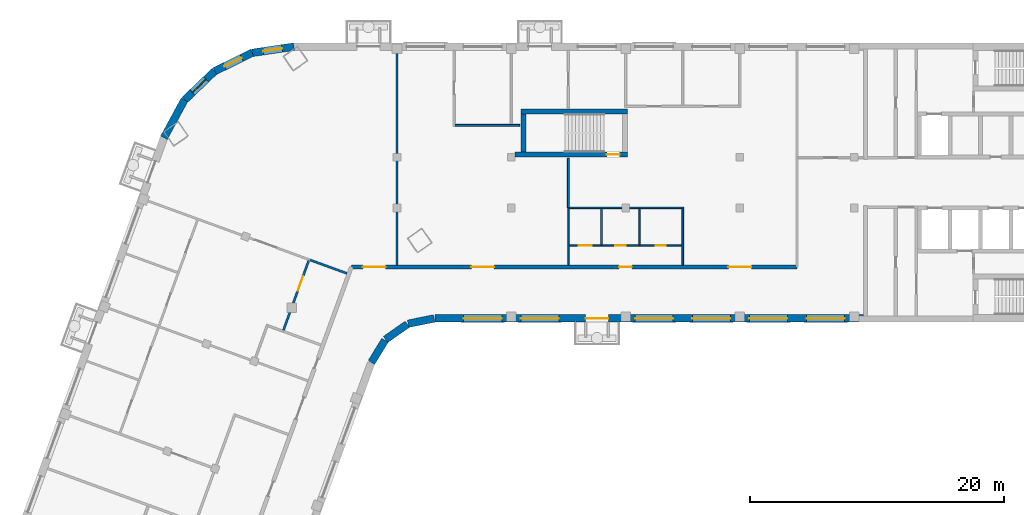
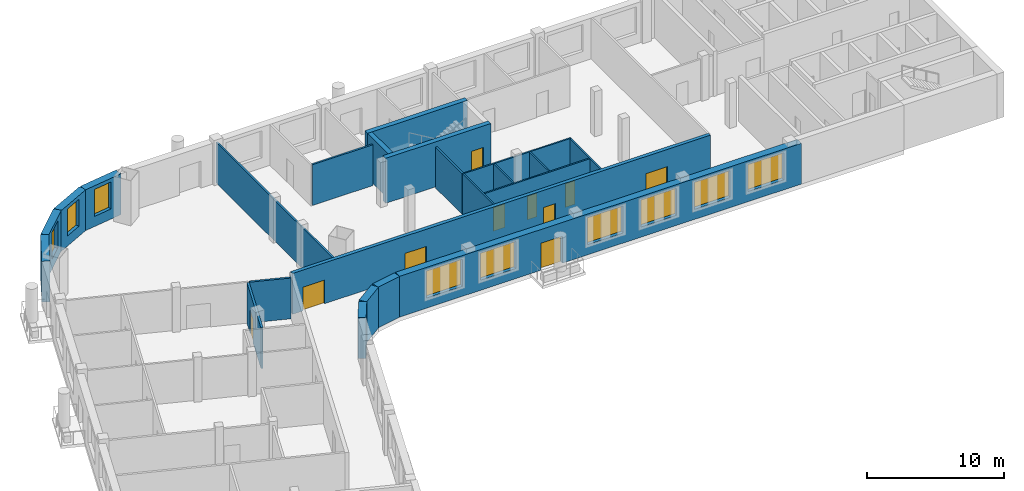
# One storey, part 4 of 10: 23 walls, 10 doors, 9 windows, 19 openings.
"""IFC4 building model written with IfcOpenShell, lengths in metres."""

from ifc_helpers import new_model, si_unit, direction, frame, frame_2d, origin, place, context, subcontext, project, spatial, rectangle, extrude, material, layer, layer_set, type_object, element, fill, save


model = new_model("IFC4")

# Units and contexts
model_context = context("Model", 3, precision=1e-05, world=origin(), true_north=direction((0.0, 1.0)))
body_context = subcontext(model_context, "Body", "Model", "MODEL_VIEW")
ifc_project = project(units=[si_unit("LENGTHUNIT", "METRE"), si_unit("AREAUNIT", "SQUARE_METRE"), si_unit("VOLUMEUNIT", "CUBIC_METRE"), si_unit("PLANEANGLEUNIT", "RADIAN"), si_unit("MASSUNIT", "GRAM", prefix="KILO")], contexts=[model_context])

# Site, building, storey
site_placement = place(None, origin())
site = spatial("IfcSite", under=ifc_project, at=site_placement, CompositionType="ELEMENT")
building_placement = place(site_placement, origin())
building = spatial("IfcBuilding", under=site, at=building_placement, Name="Skarvind Civic Tower", CompositionType="ELEMENT")
storey_placement = place(building_placement, frame((0.0, 0.0, 204.0)))
storey = spatial("IfcBuildingStorey", under=building, at=storey_placement, Name="L48", CompositionType="ELEMENT", Elevation=204.0)

# Wall, opening, door
ifc_material_1 = material(Name="Acoustic gypsum board on steel studs", Category="steel")
ifc_layer_1 = layer(ifc_material_1, 0.175048828125)
ifc_layer_set_1 = layer_set([ifc_layer_1], Name="ACOUSTIC MEETING-ROOM PARTITION 175")
wall_type_1 = type_object("IfcWallType", Name="ACOUSTIC MEETING-ROOM PARTITION 175", PredefinedType="PARTITIONING", material=ifc_layer_set_1)
wall_1_placement = place(storey_placement, frame((45.304931640625, 116.3740234375, 0.0), z_axis=(0.0, 0.0, 1.0), x_axis=(0.341998803079, 0.939700387726, 0.0)))
wall_1 = element("IfcWall", 1, at=wall_1_placement, inside=storey, type_object=wall_type_1, Name="Partition 48.017", PredefinedType="PARTITIONING", context=body_context, shape_type="SweptSolid", body=[
    extrude(rectangle(XDim=5.8251953125, YDim=0.175048828125, at=frame_2d((2.91259765625, 0.0))), origin(), (0.0, 0.0, 1.0), 3.625),
])
opening_1_placement = place(wall_1_placement, frame((3.3125, 0.0, 0.0)))
opening_1 = element("IfcOpeningElement", 2, at=opening_1_placement, cuts=wall_1, Name="Opening L48-D023", PredefinedType="OPENING", context=body_context, shape_type="SweptSolid", body=[
    extrude(rectangle(XDim=1.199951171875, YDim=2.10009765625, at=frame_2d((0.60009765625, 1.050048828125))), frame((0.0, 0.097412109375, 0.0), z_axis=(0.0, -1.0, 0.0), x_axis=(1.0, 0.0, 0.0)), (0.0, 0.0, 1.0), 0.195068359375),
])
ifc_material_2 = material(Name="Timber door leaf", Category="wood")
door_type_1 = type_object("IfcDoorType", Name="DOOR 1200X2100 DOUBLE TIMBER", OperationType="NOTDEFINED", PredefinedType="DOOR", material=ifc_material_2)
door_1_placement = place(opening_1_placement, origin())
door_1 = element("IfcDoor", 3, at=door_1_placement, inside=storey, type_object=door_type_1, Name="Door L48-D023", OperationType="DOUBLE_DOOR_SINGLE_SWING", OverallHeight=2.10009765625, OverallWidth=1.199951171875, PredefinedType="DOOR", context=body_context, shape_type="SweptSolid", body=[
    extrude(rectangle(XDim=1.199951171875, YDim=2.10009765625, at=frame_2d((0.60009765625, 1.050048828125))), frame((0.0, 0.02490234375, 0.0), z_axis=(0.0, -1.0, 0.0), x_axis=(1.0, 0.0, 0.0)), (0.0, 0.0, 1.0), 0.050048828125),
])
fill(opening_1, door_1)

# Wall
wall_2_placement = place(storey_placement, frame((50.31201171875, 120.843017578125, 0.0), z_axis=(0.0, 0.0, 1.0), x_axis=(-0.939666459913, 0.342092011182, 0.0)))
element("IfcWall", 4, at=wall_2_placement, inside=storey, type_object=wall_type_1, Name="Partition 48.019", PredefinedType="PARTITIONING", context=body_context, shape_type="SweptSolid", body=[
    extrude(rectangle(XDim=3.08935546875, YDim=0.175048828125, at=frame_2d((1.544677734375, 0.0))), origin(), (0.0, 0.0, 1.0), 3.625),
])

# Wall, openings, doors
ifc_material_3 = material(Name="Fire-rated gypsum board on steel studs", Category="steel")
ifc_layer_2 = layer(ifc_material_3, 0.300048828125)
ifc_layer_set_2 = layer_set([ifc_layer_2], Name="CORRIDOR WALL 300")
wall_type_2 = type_object("IfcWallType", Name="CORRIDOR WALL 300", PredefinedType="PARTITIONING", material=ifc_layer_set_2)
wall_3_placement = place(storey_placement, frame((50.656982421875, 121.35009765625, 0.0), z_axis=(0.0, 0.0, 1.0), x_axis=(1.0, 0.0, 0.0)))
wall_3 = element("IfcWall", 5, at=wall_3_placement, inside=storey, type_object=wall_type_2, Name="Partition 48.020", PredefinedType="PARTITIONING", context=body_context, shape_type="SweptSolid", body=[
    extrude(rectangle(XDim=35.095947265625, YDim=0.300048828125, at=frame_2d((17.5478515625, 0.0))), origin(), (0.0, 0.0, 1.0), 3.625),
])
opening_2_placement = place(wall_3_placement, frame((21.093017578125, 0.0, 0.0)))
opening_2 = element("IfcOpeningElement", 6, at=opening_2_placement, cuts=wall_3, Name="Opening L48-D002", PredefinedType="OPENING", context=body_context, shape_type="SweptSolid", body=[
    extrude(rectangle(XDim=1.0, YDim=2.10009765625, at=frame_2d((0.5, 1.050048828125))), frame((0.0, 0.159912109375, 0.0), z_axis=(0.0, -1.0, 0.0), x_axis=(1.0, 0.0, 0.0)), (0.0, 0.0, 1.0), 0.320068359375),
])
opening_3_placement = place(wall_3_placement, frame((29.693115234375, 0.0, 0.0)))
opening_3 = element("IfcOpeningElement", 7, at=opening_3_placement, cuts=wall_3, Name="Opening L48-D008", PredefinedType="OPENING", context=body_context, shape_type="SweptSolid", body=[
    extrude(rectangle(XDim=1.800048828125, YDim=2.10009765625, at=frame_2d((0.89990234375, 1.050048828125))), frame((0.0, 0.159912109375, 0.0), z_axis=(0.0, -1.0, 0.0), x_axis=(1.0, 0.0, 0.0)), (0.0, 0.0, 1.0), 0.320068359375),
])
opening_4_placement = place(wall_3_placement, frame((9.443115234375, 0.0, 0.0)))
opening_4 = element("IfcOpeningElement", 8, at=opening_4_placement, cuts=wall_3, Name="Opening L48-D011", PredefinedType="OPENING", context=body_context, shape_type="SweptSolid", body=[
    extrude(rectangle(XDim=1.800048828125, YDim=2.10009765625, at=frame_2d((0.89990234375, 1.050048828125))), frame((0.0, 0.159912109375, 0.0), z_axis=(0.0, -1.0, 0.0), x_axis=(1.0, 0.0, 0.0)), (0.0, 0.0, 1.0), 0.320068359375),
])
opening_5_placement = place(wall_3_placement, frame((0.89599609375, 0.0, 0.0)))
opening_5 = element("IfcOpeningElement", 9, at=opening_5_placement, cuts=wall_3, Name="Opening L48-D021", PredefinedType="OPENING", context=body_context, shape_type="SweptSolid", body=[
    extrude(rectangle(XDim=1.800048828125, YDim=2.10009765625, at=frame_2d((0.89990234375, 1.050048828125))), frame((0.0, 0.159912109375, 0.0), z_axis=(0.0, -1.0, 0.0), x_axis=(1.0, 0.0, 0.0)), (0.0, 0.0, 1.0), 0.320068359375),
])
ifc_material_4 = material(Name="Fire-rated timber door leaf", Category="wood")
door_type_2 = type_object("IfcDoorType", Name="FD1 1000x2100", OperationType="NOTDEFINED", PredefinedType="DOOR", material=ifc_material_4)
door_2_placement = place(opening_2_placement, origin())
door_2 = element("IfcDoor", 10, at=door_2_placement, inside=storey, type_object=door_type_2, Name="Door L48-D002", OperationType="SINGLE_SWING_LEFT", OverallHeight=2.10009765625, OverallWidth=1.0, PredefinedType="DOOR", context=body_context, shape_type="SweptSolid", body=[
    extrude(rectangle(XDim=1.0, YDim=2.10009765625, at=frame_2d((0.5, 1.050048828125))), frame((0.0, 0.02490234375, 0.0), z_axis=(0.0, -1.0, 0.0), x_axis=(1.0, 0.0, 0.0)), (0.0, 0.0, 1.0), 0.050048828125),
])
fill(opening_2, door_2)
door_type_3 = type_object("IfcDoorType", Name="FD4 1800x2100", OperationType="NOTDEFINED", PredefinedType="DOOR", material=ifc_material_4)
door_3_placement = place(opening_3_placement, origin())
door_3 = element("IfcDoor", 11, at=door_3_placement, inside=storey, type_object=door_type_3, Name="Door L48-D008", OperationType="DOUBLE_DOOR_SINGLE_SWING", OverallHeight=2.10009765625, OverallWidth=1.800048828125, PredefinedType="DOOR", context=body_context, shape_type="SweptSolid", body=[
    extrude(rectangle(XDim=1.800048828125, YDim=2.10009765625, at=frame_2d((0.89990234375, 1.050048828125))), frame((0.0, 0.02490234375, 0.0), z_axis=(0.0, -1.0, 0.0), x_axis=(1.0, 0.0, 0.0)), (0.0, 0.0, 1.0), 0.050048828125),
])
fill(opening_3, door_3)
door_4_placement = place(opening_4_placement, origin())
door_4 = element("IfcDoor", 12, at=door_4_placement, inside=storey, type_object=door_type_3, Name="Door L48-D011", OperationType="DOUBLE_DOOR_SINGLE_SWING", OverallHeight=2.10009765625, OverallWidth=1.800048828125, PredefinedType="DOOR", context=body_context, shape_type="SweptSolid", body=[
    extrude(rectangle(XDim=1.800048828125, YDim=2.10009765625, at=frame_2d((0.89990234375, 1.050048828125))), frame((0.0, 0.02490234375, 0.0), z_axis=(0.0, -1.0, 0.0), x_axis=(1.0, 0.0, 0.0)), (0.0, 0.0, 1.0), 0.050048828125),
])
fill(opening_4, door_4)
door_5_placement = place(opening_5_placement, origin())
door_5 = element("IfcDoor", 13, at=door_5_placement, inside=storey, type_object=door_type_3, Name="Door L48-D021", OperationType="DOUBLE_DOOR_SINGLE_SWING", OverallHeight=2.10009765625, OverallWidth=1.800048828125, PredefinedType="DOOR", context=body_context, shape_type="SweptSolid", body=[
    extrude(rectangle(XDim=1.800048828125, YDim=2.10009765625, at=frame_2d((0.89990234375, 1.050048828125))), frame((0.0, 0.02490234375, 0.0), z_axis=(0.0, -1.0, 0.0), x_axis=(1.0, 0.0, 0.0)), (0.0, 0.0, 1.0), 0.050048828125),
])
fill(opening_5, door_5)

# Wall, opening, door
ifc_material_5 = material(Name="Concrete C60", Category="concrete")
ifc_layer_3 = layer(ifc_material_5, 0.39990234375)
ifc_layer_set_3 = layer_set([ifc_layer_3], Name="Core wall 400 C60")
wall_type_3 = type_object("IfcWallType", Name="Core wall 400 C60", PredefinedType="SHEAR", material=ifc_layer_set_3)
wall_4_placement = place(storey_placement, frame((63.550048828125, 130.199951171875, 0.0), z_axis=(0.0, 0.0, 1.0), x_axis=(1.0, 0.0, 0.0)))
wall_4 = element("IfcWall", 14, at=wall_4_placement, inside=storey, type_object=wall_type_3, Name="Core wall CM inner L48", PredefinedType="SHEAR", context=body_context, shape_type="SweptSolid", body=[
    extrude(rectangle(XDim=8.849853515625, YDim=0.39990234375, at=frame_2d((4.4248046875, 0.0))), origin(), (0.0, 0.0, 1.0), 4.0),
])
opening_6_placement = place(wall_4_placement, frame((7.22509765625, 0.0, 0.0)))
opening_6 = element("IfcOpeningElement", 15, at=opening_6_placement, cuts=wall_4, Name="Opening D-L48-CM-01", PredefinedType="OPENING", context=body_context, shape_type="SweptSolid", body=[
    extrude(rectangle(XDim=1.0, YDim=2.10009765625, at=frame_2d((0.5, 1.050048828125))), frame((0.0, 0.2099609375, 0.0), z_axis=(0.0, -1.0, 0.0), x_axis=(1.0, 0.0, 0.0)), (0.0, 0.0, 1.0), 0.419921875),
])
ifc_material_6 = material(Name="Fire-rated steel door", Category="steel")
door_type_4 = type_object("IfcDoorType", Name="Fire door 1000", OperationType="NOTDEFINED", PredefinedType="DOOR", material=ifc_material_6)
door_6_placement = place(opening_6_placement, origin())
door_6 = element("IfcDoor", 16, at=door_6_placement, inside=storey, type_object=door_type_4, Name="Fire door", OperationType="SINGLE_SWING_LEFT", OverallHeight=2.10009765625, OverallWidth=1.0, PredefinedType="DOOR", context=body_context, shape_type="SweptSolid", body=[
    extrude(rectangle(XDim=1.0, YDim=2.10009765625, at=frame_2d((0.5, 1.050048828125))), frame((0.0, 0.02490234375, 0.0), z_axis=(0.0, -1.0, 0.0), x_axis=(1.0, 0.0, 0.0)), (0.0, 0.0, 1.0), 0.050048828125),
])
fill(opening_6, door_6)

# Walls
wall_5_placement = place(storey_placement, frame((64.0, 133.60009765625, 0.0), z_axis=(0.0, 0.0, 1.0), x_axis=(1.0, 0.0, 0.0)))
element("IfcWall", 17, at=wall_5_placement, inside=storey, type_object=wall_type_3, Name="Core wall CM outer L48", PredefinedType="SHEAR", context=body_context, shape_type="SweptSolid", body=[
    extrude(rectangle(XDim=8.39990234375, YDim=0.39990234375, at=frame_2d((4.199951171875, 0.0))), origin(), (0.0, 0.0, 1.0), 4.0),
])
wall_6_placement = place(storey_placement, frame((64.199951171875, 130.39990234375, 0.0), z_axis=(0.0, 0.0, 1.0), x_axis=(0.0, 1.0, 0.0)))
element("IfcWall", 18, at=wall_6_placement, inside=storey, type_object=wall_type_3, Name="Core wall CM west L48", PredefinedType="SHEAR", context=body_context, shape_type="SweptSolid", body=[
    extrude(rectangle(XDim=3.0, YDim=0.39990234375, at=frame_2d((1.5, 0.0))), origin(), (0.0, 0.0, 1.0), 4.0),
])
ifc_material_7 = material(Name="Plasterboard partition on steel studs", Category="steel")
ifc_layer_4 = layer(ifc_material_7, 0.14990234375)
ifc_layer_set_4 = layer_set([ifc_layer_4], Name="PARTITION 150")
wall_type_4 = type_object("IfcWallType", Name="PARTITION 150", PredefinedType="PARTITIONING", material=ifc_layer_set_4)
wall_7_placement = place(storey_placement, frame((54.25, 138.39990234375, 0.0), z_axis=(0.0, 0.0, 1.0), x_axis=(0.0, -1.0, 0.0)))
element("IfcWall", 19, at=wall_7_placement, inside=storey, type_object=wall_type_4, Name="Partition 48.021", PredefinedType="PARTITIONING", context=body_context, shape_type="SweptSolid", body=[
    extrude(rectangle(XDim=16.89990234375, YDim=0.14990234375, at=frame_2d((8.449951171875, 0.0))), origin(), (0.0, 0.0, 1.0), 3.625),
])
wall_8_placement = place(storey_placement, frame((63.89990234375, 132.5, 0.0), z_axis=(0.0, 0.0, 1.0), x_axis=(-1.0, 0.0, 0.0)))
element("IfcWall", 20, at=wall_8_placement, inside=storey, type_object=wall_type_4, Name="Partition 48.023", PredefinedType="PARTITIONING", context=body_context, shape_type="SweptSolid", body=[
    extrude(rectangle(XDim=5.074951171875, YDim=0.14990234375, at=frame_2d((2.53759765625, 0.0))), origin(), (0.0, 0.0, 1.0), 3.625),
])
wall_9_placement = place(storey_placement, frame((67.75, 126.0, 0.0), z_axis=(0.0, 0.0, 1.0), x_axis=(0.0, 1.0, 0.0)))
element("IfcWall", 21, at=wall_9_placement, inside=storey, type_object=wall_type_4, Name="Partition 48.027", PredefinedType="PARTITIONING", context=body_context, shape_type="SweptSolid", body=[
    extrude(rectangle(XDim=3.89990234375, YDim=0.14990234375, at=frame_2d((1.949951171875, 0.0))), origin(), (0.0, 0.0, 1.0), 3.625),
])
ifc_material_8 = material(Name="Moisture-resistant gypsum board on steel studs", Category="steel")
ifc_layer_5 = layer(ifc_material_8, 0.125)
ifc_layer_set_5 = layer_set([ifc_layer_5], Name="WC PARTITION 125")
wall_type_5 = type_object("IfcWallType", Name="WC PARTITION 125", PredefinedType="PARTITIONING", material=ifc_layer_set_5)
wall_10_placement = place(storey_placement, frame((67.75, 121.5, 0.0), z_axis=(0.0, 0.0, 1.0), x_axis=(0.0, 1.0, 0.0)))
element("IfcWall", 22, at=wall_10_placement, inside=storey, type_object=wall_type_5, Name="Partition 48.025", PredefinedType="PARTITIONING", context=body_context, shape_type="SweptSolid", body=[
    extrude(rectangle(XDim=4.5, YDim=0.125, at=frame_2d((2.25, 0.0))), origin(), (0.0, 0.0, 1.0), 3.625),
])

# Wall, openings, doors
wall_11_placement = place(storey_placement, frame((67.81201171875, 123.050048828125, 0.0), z_axis=(0.0, 0.0, 1.0), x_axis=(1.0, 0.0, 0.0)))
wall_11 = element("IfcWall", 23, at=wall_11_placement, inside=storey, type_object=wall_type_5, Name="Partition 48.026", PredefinedType="PARTITIONING", context=body_context, shape_type="SweptSolid", body=[
    extrude(rectangle(XDim=8.8759765625, YDim=0.125, at=frame_2d((4.43798828125, 0.0))), origin(), (0.0, 0.0, 1.0), 3.625),
])
opening_7_placement = place(wall_11_placement, frame((6.81689453125, 0.0, 0.0)))
opening_7 = element("IfcOpeningElement", 24, at=opening_7_placement, cuts=wall_11, Name="Opening L48-D003", PredefinedType="OPENING", context=body_context, shape_type="SweptSolid", body=[
    extrude(rectangle(XDim=0.800048828125, YDim=2.10009765625, at=frame_2d((0.39990234375, 1.050048828125))), frame((0.0, 0.072509765625, 0.0), z_axis=(0.0, -1.0, 0.0), x_axis=(1.0, 0.0, 0.0)), (0.0, 0.0, 1.0), 0.14501953125),
])
opening_8_placement = place(wall_11_placement, frame((3.637939453125, 0.0, 0.0)))
opening_8 = element("IfcOpeningElement", 25, at=opening_8_placement, cuts=wall_11, Name="Opening L48-D004", PredefinedType="OPENING", context=body_context, shape_type="SweptSolid", body=[
    extrude(rectangle(XDim=0.800048828125, YDim=2.10009765625, at=frame_2d((0.39990234375, 1.050048828125))), frame((0.0, 0.072509765625, 0.0), z_axis=(0.0, -1.0, 0.0), x_axis=(1.0, 0.0, 0.0)), (0.0, 0.0, 1.0), 0.14501953125),
])
opening_9_placement = place(wall_11_placement, frame((0.759033203125, 0.0, 0.0)))
opening_9 = element("IfcOpeningElement", 26, at=opening_9_placement, cuts=wall_11, Name="Opening L48-D005", PredefinedType="OPENING", context=body_context, shape_type="SweptSolid", body=[
    extrude(rectangle(XDim=1.0, YDim=2.10009765625, at=frame_2d((0.5, 1.050048828125))), frame((0.0, 0.072509765625, 0.0), z_axis=(0.0, -1.0, 0.0), x_axis=(1.0, 0.0, 0.0)), (0.0, 0.0, 1.0), 0.14501953125),
])
door_type_5 = type_object("IfcDoorType", Name="D1 1000x2100", OperationType="NOTDEFINED", PredefinedType="DOOR", material=ifc_material_2)
door_7_placement = place(opening_9_placement, origin())
door_7 = element("IfcDoor", 27, at=door_7_placement, inside=storey, type_object=door_type_5, Name="Door L48-D005", OperationType="SINGLE_SWING_LEFT", OverallHeight=2.10009765625, OverallWidth=1.0, PredefinedType="DOOR", context=body_context, shape_type="SweptSolid", body=[
    extrude(rectangle(XDim=1.0, YDim=2.10009765625, at=frame_2d((0.5, 1.050048828125))), frame((0.0, 0.02490234375, 0.0), z_axis=(0.0, -1.0, 0.0), x_axis=(1.0, 0.0, 0.0)), (0.0, 0.0, 1.0), 0.050048828125),
])
fill(opening_9, door_7)
door_type_6 = type_object("IfcDoorType", Name="DOOR 800X2100 TIMBER", OperationType="NOTDEFINED", PredefinedType="DOOR", material=ifc_material_2)
door_8_placement = place(opening_7_placement, origin())
door_8 = element("IfcDoor", 28, at=door_8_placement, inside=storey, type_object=door_type_6, Name="Door L48-D003", OperationType="SINGLE_SWING_RIGHT", OverallHeight=2.10009765625, OverallWidth=0.800048828125, PredefinedType="DOOR", context=body_context, shape_type="SweptSolid", body=[
    extrude(rectangle(XDim=0.800048828125, YDim=2.10009765625, at=frame_2d((0.39990234375, 1.050048828125))), frame((0.0, 0.02490234375, 0.0), z_axis=(0.0, -1.0, 0.0), x_axis=(1.0, 0.0, 0.0)), (0.0, 0.0, 1.0), 0.050048828125),
])
fill(opening_7, door_8)
door_9_placement = place(opening_8_placement, origin())
door_9 = element("IfcDoor", 29, at=door_9_placement, inside=storey, type_object=door_type_6, Name="Door L48-D004", OperationType="SINGLE_SWING_LEFT", OverallHeight=2.10009765625, OverallWidth=0.800048828125, PredefinedType="DOOR", context=body_context, shape_type="SweptSolid", body=[
    extrude(rectangle(XDim=0.800048828125, YDim=2.10009765625, at=frame_2d((0.39990234375, 1.050048828125))), frame((0.0, 0.02490234375, 0.0), z_axis=(0.0, -1.0, 0.0), x_axis=(1.0, 0.0, 0.0)), (0.0, 0.0, 1.0), 0.050048828125),
])
fill(opening_8, door_9)

# Walls
wall_12_placement = place(storey_placement, frame((67.824951171875, 126.0, 0.0), z_axis=(0.0, 0.0, 1.0), x_axis=(1.0, 0.0, 0.0)))
element("IfcWall", 30, at=wall_12_placement, inside=storey, type_object=wall_type_5, Name="Partition 48.028", PredefinedType="PARTITIONING", context=body_context, shape_type="SweptSolid", body=[
    extrude(rectangle(XDim=8.987060546875, YDim=0.125, at=frame_2d((4.49365234375, 0.0))), origin(), (0.0, 0.0, 1.0), 3.625),
])
for number, where, z_axis, x_axis, name in (
    (31, (70.35009765625, 125.93798828125, 0.0), (0.0, 0.0, 1.0), (0.0, -1.0, 0.0), "Partition 48.030"),
    (32, (73.35009765625, 125.93798828125, 0.0), (0.0, 0.0, 1.0), (0.0, -1.0, 0.0), "Partition 48.033"),
):
    element("IfcWall", number, at=place(storey_placement, frame(where, z_axis=z_axis, x_axis=x_axis)), inside=storey, type_object=wall_type_5, Name=name, PredefinedType="PARTITIONING", context=body_context, shape_type="SweptSolid", body=[
        extrude(rectangle(XDim=2.825927734375, YDim=0.125, at=frame_2d((1.4130859375, 0.0))), origin(), (0.0, 0.0, 1.0), 3.625),
    ])
wall_13_placement = place(storey_placement, frame((76.75, 125.93798828125, 0.0), z_axis=(0.0, 0.0, 1.0), x_axis=(0.0, -1.0, 0.0)))
element("IfcWall", 33, at=wall_13_placement, inside=storey, type_object=wall_type_5, Name="Partition 48.034", PredefinedType="PARTITIONING", context=body_context, shape_type="SweptSolid", body=[
    extrude(rectangle(XDim=4.43798828125, YDim=0.125, at=frame_2d((2.218994140625, 0.0))), origin(), (0.0, 0.0, 1.0), 3.625),
])
ifc_material_9 = material(Name="Limestone masonry cladding on insulated backing", Category="masonry")
ifc_layer_6 = layer(ifc_material_9, 0.60009765625)
ifc_layer_set_6 = layer_set([ifc_layer_6], Name="WX1 STONE FACADE WALL 600")
wall_type_6 = type_object("IfcWallType", Name="WX1 STONE FACADE WALL 600", PredefinedType="SOLIDWALL", material=ifc_layer_set_6)
wall_14_placement = place(storey_placement, frame((53.30517578125, 115.578369140625, 0.0), z_axis=(0.0, 0.0, 1.0), x_axis=(-0.522402266438, -0.852699168535, 0.0)))
element("IfcWall", 34, at=wall_14_placement, inside=storey, type_object=wall_type_6, Name="STONE FACADE WALL", PredefinedType="SOLIDWALL", context=body_context, shape_type="SweptSolid", body=[
    extrude(rectangle(XDim=2.042236328125, YDim=0.60009765625, at=frame_2d((1.02099609375, 0.0))), origin(), (0.0, 0.0, 1.0), 3.625),
])
for number, where, z_axis, x_axis, name in (
    (35, (55.061767578125, 116.8388671875, 0.0), (0.0, 0.0, 1.0), (-0.819122269495, -0.573618956815, 0.0), "STONE FACADE WALL"),
    (36, (57.17529296875, 117.2939453125, 0.0), (0.0, 0.0, 1.0), (-0.97996099083, -0.19918949885, 0.0), "STONE FACADE WALL"),
):
    element("IfcWall", number, at=place(storey_placement, frame(where, z_axis=z_axis, x_axis=x_axis)), inside=storey, type_object=wall_type_6, Name=name, PredefinedType="SOLIDWALL", context=body_context, shape_type="SweptSolid", body=[
        extrude(rectangle(XDim=2.09228515625, YDim=0.60009765625, at=frame_2d((1.046142578125, 0.0))), origin(), (0.0, 0.0, 1.0), 3.625),
    ])

# Wall, openings, door, windows
wall_15_placement = place(storey_placement, frame((90.97998046875, 117.300048828125, 0.0), z_axis=(0.0, 0.0, 1.0), x_axis=(-1.0, 0.0, 0.0)))
wall_15 = element("IfcWall", 37, at=wall_15_placement, inside=storey, type_object=wall_type_6, Name="STONE FACADE WALL", PredefinedType="SOLIDWALL", context=body_context, shape_type="SweptSolid", body=[
    extrude(rectangle(XDim=33.744873046875, YDim=0.60009765625, at=frame_2d((16.87255859375, 0.0))), origin(), (0.0, 0.0, 1.0), 3.625),
])
opening_10_placement = place(wall_15_placement, frame((1.47998046875, 0.0, 0.89990234375)))
opening_10 = element("IfcOpeningElement", 38, at=opening_10_placement, cuts=wall_15, Name="Opening WN1", PredefinedType="OPENING", context=body_context, shape_type="SweptSolid", body=[
    extrude(rectangle(XDim=3.0, YDim=2.39990234375, at=frame_2d((1.5, 1.199951171875))), frame((0.0, 0.31005859375, 0.0), z_axis=(0.0, -1.0, 0.0), x_axis=(1.0, 0.0, 0.0)), (0.0, 0.0, 1.0), 0.6201171875),
])
opening_11_placement = place(wall_15_placement, frame((5.97998046875, 0.0, 0.89990234375)))
opening_11 = element("IfcOpeningElement", 39, at=opening_11_placement, cuts=wall_15, Name="Opening WN1", PredefinedType="OPENING", context=body_context, shape_type="SweptSolid", body=[
    extrude(rectangle(XDim=3.0, YDim=2.39990234375, at=frame_2d((1.5, 1.199951171875))), frame((0.0, 0.31005859375, 0.0), z_axis=(0.0, -1.0, 0.0), x_axis=(1.0, 0.0, 0.0)), (0.0, 0.0, 1.0), 0.6201171875),
])
opening_12_placement = place(wall_15_placement, frame((10.47998046875, 0.0, 0.89990234375)))
opening_12 = element("IfcOpeningElement", 40, at=opening_12_placement, cuts=wall_15, Name="Opening WN1", PredefinedType="OPENING", context=body_context, shape_type="SweptSolid", body=[
    extrude(rectangle(XDim=3.0, YDim=2.39990234375, at=frame_2d((1.5, 1.199951171875))), frame((0.0, 0.31005859375, 0.0), z_axis=(0.0, -1.0, 0.0), x_axis=(1.0, 0.0, 0.0)), (0.0, 0.0, 1.0), 0.6201171875),
])
opening_13_placement = place(wall_15_placement, frame((14.97998046875, 0.0, 0.89990234375)))
opening_13 = element("IfcOpeningElement", 41, at=opening_13_placement, cuts=wall_15, Name="Opening WN1", PredefinedType="OPENING", context=body_context, shape_type="SweptSolid", body=[
    extrude(rectangle(XDim=3.0, YDim=2.39990234375, at=frame_2d((1.5, 1.199951171875))), frame((0.0, 0.31005859375, 0.0), z_axis=(0.0, -1.0, 0.0), x_axis=(1.0, 0.0, 0.0)), (0.0, 0.0, 1.0), 0.6201171875),
])
opening_14_placement = place(wall_15_placement, frame((20.080078125, 0.0, 0.0)))
opening_14 = element("IfcOpeningElement", 42, at=opening_14_placement, cuts=wall_15, Name="Opening DX3", PredefinedType="OPENING", context=body_context, shape_type="SweptSolid", body=[
    extrude(rectangle(XDim=1.800048828125, YDim=2.39990234375, at=frame_2d((0.89990234375, 1.199951171875))), frame((0.0, 0.31005859375, 0.0), z_axis=(0.0, -1.0, 0.0), x_axis=(1.0, 0.0, 0.0)), (0.0, 0.0, 1.0), 0.6201171875),
])
opening_15_placement = place(wall_15_placement, frame((23.97998046875, 0.0, 0.89990234375)))
opening_15 = element("IfcOpeningElement", 43, at=opening_15_placement, cuts=wall_15, Name="Opening WN1", PredefinedType="OPENING", context=body_context, shape_type="SweptSolid", body=[
    extrude(rectangle(XDim=3.0, YDim=2.39990234375, at=frame_2d((1.5, 1.199951171875))), frame((0.0, 0.31005859375, 0.0), z_axis=(0.0, -1.0, 0.0), x_axis=(1.0, 0.0, 0.0)), (0.0, 0.0, 1.0), 0.6201171875),
])
opening_16_placement = place(wall_15_placement, frame((28.47998046875, 0.0, 0.89990234375)))
opening_16 = element("IfcOpeningElement", 44, at=opening_16_placement, cuts=wall_15, Name="Opening WN1", PredefinedType="OPENING", context=body_context, shape_type="SweptSolid", body=[
    extrude(rectangle(XDim=3.0, YDim=2.39990234375, at=frame_2d((1.5, 1.199951171875))), frame((0.0, 0.31005859375, 0.0), z_axis=(0.0, -1.0, 0.0), x_axis=(1.0, 0.0, 0.0)), (0.0, 0.0, 1.0), 0.6201171875),
])
ifc_material_10 = material(Name="Timber and glass doorset", Category="wood")
door_type_7 = type_object("IfcDoorType", Name="DX3 TERRACE DOORS 1800 x 2400", OperationType="NOTDEFINED", PredefinedType="DOOR", material=ifc_material_10)
door_10_placement = place(opening_14_placement, origin())
door_10 = element("IfcDoor", 45, at=door_10_placement, inside=storey, type_object=door_type_7, Name="TERRACE DOORS", OperationType="DOUBLE_DOOR_SINGLE_SWING", OverallHeight=2.39990234375, OverallWidth=1.800048828125, PredefinedType="DOOR", context=body_context, shape_type="SweptSolid", body=[
    extrude(rectangle(XDim=1.800048828125, YDim=2.39990234375, at=frame_2d((0.89990234375, 1.199951171875))), frame((0.0, 0.02490234375, 0.0), z_axis=(0.0, -1.0, 0.0), x_axis=(1.0, 0.0, 0.0)), (0.0, 0.0, 1.0), 0.050048828125),
])
fill(opening_14, door_10)
ifc_material_11 = material(Name="Timber frame, double glazing, timber-lined reveal", Category="wood")
window_type_1 = type_object("IfcWindowType", Name="WN1 PUNCHED STONE WINDOW 3000 x 2400", PartitioningType="SINGLE_PANEL", PredefinedType="WINDOW", material=ifc_material_11)
window_1_placement = place(opening_10_placement, origin())
window_1 = element("IfcWindow", 46, at=window_1_placement, inside=storey, type_object=window_type_1, Name="WN1 WINDOW", OverallHeight=2.39990234375, OverallWidth=3.0, PartitioningType="SINGLE_PANEL", PredefinedType="WINDOW", context=body_context, shape_type="SweptSolid", body=[
    extrude(rectangle(XDim=3.0, YDim=2.39990234375, at=frame_2d((1.5, 1.199951171875))), frame((0.0, 0.030029296875, 0.0), z_axis=(0.0, -1.0, 0.0), x_axis=(1.0, 0.0, 0.0)), (0.0, 0.0, 1.0), 0.06005859375),
])
fill(opening_10, window_1)
window_2_placement = place(opening_11_placement, origin())
window_2 = element("IfcWindow", 47, at=window_2_placement, inside=storey, type_object=window_type_1, Name="WN1 WINDOW", OverallHeight=2.39990234375, OverallWidth=3.0, PartitioningType="SINGLE_PANEL", PredefinedType="WINDOW", context=body_context, shape_type="SweptSolid", body=[
    extrude(rectangle(XDim=3.0, YDim=2.39990234375, at=frame_2d((1.5, 1.199951171875))), frame((0.0, 0.030029296875, 0.0), z_axis=(0.0, -1.0, 0.0), x_axis=(1.0, 0.0, 0.0)), (0.0, 0.0, 1.0), 0.06005859375),
])
fill(opening_11, window_2)
window_3_placement = place(opening_12_placement, origin())
window_3 = element("IfcWindow", 48, at=window_3_placement, inside=storey, type_object=window_type_1, Name="WN1 WINDOW", OverallHeight=2.39990234375, OverallWidth=3.0, PartitioningType="SINGLE_PANEL", PredefinedType="WINDOW", context=body_context, shape_type="SweptSolid", body=[
    extrude(rectangle(XDim=3.0, YDim=2.39990234375, at=frame_2d((1.5, 1.199951171875))), frame((0.0, 0.030029296875, 0.0), z_axis=(0.0, -1.0, 0.0), x_axis=(1.0, 0.0, 0.0)), (0.0, 0.0, 1.0), 0.06005859375),
])
fill(opening_12, window_3)
window_4_placement = place(opening_13_placement, origin())
window_4 = element("IfcWindow", 49, at=window_4_placement, inside=storey, type_object=window_type_1, Name="WN1 WINDOW", OverallHeight=2.39990234375, OverallWidth=3.0, PartitioningType="SINGLE_PANEL", PredefinedType="WINDOW", context=body_context, shape_type="SweptSolid", body=[
    extrude(rectangle(XDim=3.0, YDim=2.39990234375, at=frame_2d((1.5, 1.199951171875))), frame((0.0, 0.030029296875, 0.0), z_axis=(0.0, -1.0, 0.0), x_axis=(1.0, 0.0, 0.0)), (0.0, 0.0, 1.0), 0.06005859375),
])
fill(opening_13, window_4)
window_5_placement = place(opening_15_placement, origin())
window_5 = element("IfcWindow", 50, at=window_5_placement, inside=storey, type_object=window_type_1, Name="WN1 WINDOW", OverallHeight=2.39990234375, OverallWidth=3.0, PartitioningType="SINGLE_PANEL", PredefinedType="WINDOW", context=body_context, shape_type="SweptSolid", body=[
    extrude(rectangle(XDim=3.0, YDim=2.39990234375, at=frame_2d((1.5, 1.199951171875))), frame((0.0, 0.030029296875, 0.0), z_axis=(0.0, -1.0, 0.0), x_axis=(1.0, 0.0, 0.0)), (0.0, 0.0, 1.0), 0.06005859375),
])
fill(opening_15, window_5)
window_6_placement = place(opening_16_placement, origin())
window_6 = element("IfcWindow", 51, at=window_6_placement, inside=storey, type_object=window_type_1, Name="WN1 WINDOW", OverallHeight=2.39990234375, OverallWidth=3.0, PartitioningType="SINGLE_PANEL", PredefinedType="WINDOW", context=body_context, shape_type="SweptSolid", body=[
    extrude(rectangle(XDim=3.0, YDim=2.39990234375, at=frame_2d((1.5, 1.199951171875))), frame((0.0, 0.030029296875, 0.0), z_axis=(0.0, -1.0, 0.0), x_axis=(1.0, 0.0, 0.0)), (0.0, 0.0, 1.0), 0.06005859375),
])
fill(opening_16, window_6)

# Wall, opening, window
wall_16_placement = place(storey_placement, frame((42.872802734375, 138.21728515625, 0.0), z_axis=(0.0, 0.0, 1.0), x_axis=(0.989110792192, 0.14717282619, 0.0)))
wall_16 = element("IfcWall", 52, at=wall_16_placement, inside=storey, type_object=wall_type_6, Name="STONE FACADE WALL", PredefinedType="SOLIDWALL", context=body_context, shape_type="SweptSolid", body=[
    extrude(rectangle(XDim=3.302734375, YDim=0.60009765625, at=frame_2d((1.6513671875, 0.0))), origin(), (0.0, 0.0, 1.0), 3.625),
])
opening_17_placement = place(wall_16_placement, frame((0.8564453125, 0.0, 0.89990234375)))
opening_17 = element("IfcOpeningElement", 53, at=opening_17_placement, cuts=wall_16, Name="Opening WN8", PredefinedType="OPENING", context=body_context, shape_type="SweptSolid", body=[
    extrude(rectangle(XDim=1.5, YDim=2.39990234375, at=frame_2d((0.75, 1.199951171875))), frame((0.0, 0.31005859375, 0.0), z_axis=(0.0, -1.0, 0.0), x_axis=(1.0, 0.0, 0.0)), (0.0, 0.0, 1.0), 0.6201171875),
])
window_type_2 = type_object("IfcWindowType", Name="WN8 ARC BAY WINDOW 1500 x 2400", PartitioningType="SINGLE_PANEL", PredefinedType="WINDOW", material=ifc_material_11)
window_7_placement = place(opening_17_placement, origin())
window_7 = element("IfcWindow", 54, at=window_7_placement, inside=storey, type_object=window_type_2, Name="WN8 WINDOW", OverallHeight=2.39990234375, OverallWidth=1.5, PartitioningType="SINGLE_PANEL", PredefinedType="WINDOW", context=body_context, shape_type="SweptSolid", body=[
    extrude(rectangle(XDim=1.5, YDim=2.39990234375, at=frame_2d((0.75, 1.199951171875))), frame((0.0, 0.030029296875, 0.0), z_axis=(0.0, -1.0, 0.0), x_axis=(1.0, 0.0, 0.0)), (0.0, 0.0, 1.0), 0.06005859375),
])
fill(opening_17, window_7)

wall_17_placement = place(storey_placement, frame((39.9072265625, 136.77587890625, 0.0), z_axis=(0.0, 0.0, 1.0), x_axis=(0.89761231107, 0.440785819889, 0.0)))
wall_17 = element("IfcWall", 55, at=wall_17_placement, inside=storey, type_object=wall_type_6, Name="STONE FACADE WALL", PredefinedType="SOLIDWALL", context=body_context, shape_type="SweptSolid", body=[
    extrude(rectangle(XDim=3.302734375, YDim=0.60009765625, at=frame_2d((1.6513671875, 0.0))), origin(), (0.0, 0.0, 1.0), 3.625),
])
opening_18_placement = place(wall_17_placement, frame((0.8564453125, 0.0, 0.89990234375)))
opening_18 = element("IfcOpeningElement", 56, at=opening_18_placement, cuts=wall_17, Name="Opening WN8", PredefinedType="OPENING", context=body_context, shape_type="SweptSolid", body=[
    extrude(rectangle(XDim=1.5, YDim=2.39990234375, at=frame_2d((0.75, 1.199951171875))), frame((0.0, 0.31005859375, 0.0), z_axis=(0.0, -1.0, 0.0), x_axis=(1.0, 0.0, 0.0)), (0.0, 0.0, 1.0), 0.6201171875),
])
window_8_placement = place(opening_18_placement, origin())
window_8 = element("IfcWindow", 57, at=window_8_placement, inside=storey, type_object=window_type_2, Name="WN8 WINDOW", OverallHeight=2.39990234375, OverallWidth=1.5, PartitioningType="SINGLE_PANEL", PredefinedType="WINDOW", context=body_context, shape_type="SweptSolid", body=[
    extrude(rectangle(XDim=1.5, YDim=2.39990234375, at=frame_2d((0.75, 1.199951171875))), frame((0.0, 0.030029296875, 0.0), z_axis=(0.0, -1.0, 0.0), x_axis=(1.0, 0.0, 0.0)), (0.0, 0.0, 1.0), 0.06005859375),
])
fill(opening_18, window_8)

wall_18_placement = place(storey_placement, frame((37.520263671875, 134.501220703125, 0.0), z_axis=(0.0, 0.0, 1.0), x_axis=(0.72115684486, 0.692771827596, 0.0)))
wall_18 = element("IfcWall", 58, at=wall_18_placement, inside=storey, type_object=wall_type_6, Name="STONE FACADE WALL", PredefinedType="SOLIDWALL", context=body_context, shape_type="SweptSolid", body=[
    extrude(rectangle(XDim=3.302734375, YDim=0.60009765625, at=frame_2d((1.6513671875, 0.0))), origin(), (0.0, 0.0, 1.0), 3.625),
])
opening_19_placement = place(wall_18_placement, frame((0.8564453125, 0.0, 0.89990234375)))
opening_19 = element("IfcOpeningElement", 59, at=opening_19_placement, cuts=wall_18, Name="Opening WN8", PredefinedType="OPENING", context=body_context, shape_type="SweptSolid", body=[
    extrude(rectangle(XDim=1.5, YDim=2.39990234375, at=frame_2d((0.75, 1.199951171875))), frame((0.0, 0.31005859375, 0.0), z_axis=(0.0, -1.0, 0.0), x_axis=(1.0, 0.0, 0.0)), (0.0, 0.0, 1.0), 0.6201171875),
])
window_9_placement = place(opening_19_placement, origin())
window_9 = element("IfcWindow", 60, at=window_9_placement, inside=storey, type_object=window_type_2, Name="WN8 WINDOW", OverallHeight=2.39990234375, OverallWidth=1.5, PartitioningType="SINGLE_PANEL", PredefinedType="WINDOW", context=body_context, shape_type="SweptSolid", body=[
    extrude(rectangle(XDim=1.5, YDim=2.39990234375, at=frame_2d((0.75, 1.199951171875))), frame((0.0, 0.030029296875, 0.0), z_axis=(0.0, -1.0, 0.0), x_axis=(1.0, 0.0, 0.0)), (0.0, 0.0, 1.0), 0.06005859375),
])
fill(opening_19, window_9)

# Wall
wall_19_placement = place(storey_placement, frame((35.89453125, 131.529541015625, 0.0), z_axis=(0.0, 0.0, 1.0), x_axis=(0.476531180538, 0.879157570618, 0.0)))
element("IfcWall", 61, at=wall_19_placement, inside=storey, type_object=wall_type_6, Name="STONE FACADE WALL", PredefinedType="SOLIDWALL", context=body_context, shape_type="SweptSolid", body=[
    extrude(rectangle(XDim=3.392578125, YDim=0.60009765625, at=frame_2d((1.6962890625, 0.0))), origin(), (0.0, 0.0, 1.0), 3.625),
])

save(model, "model.ifc")
